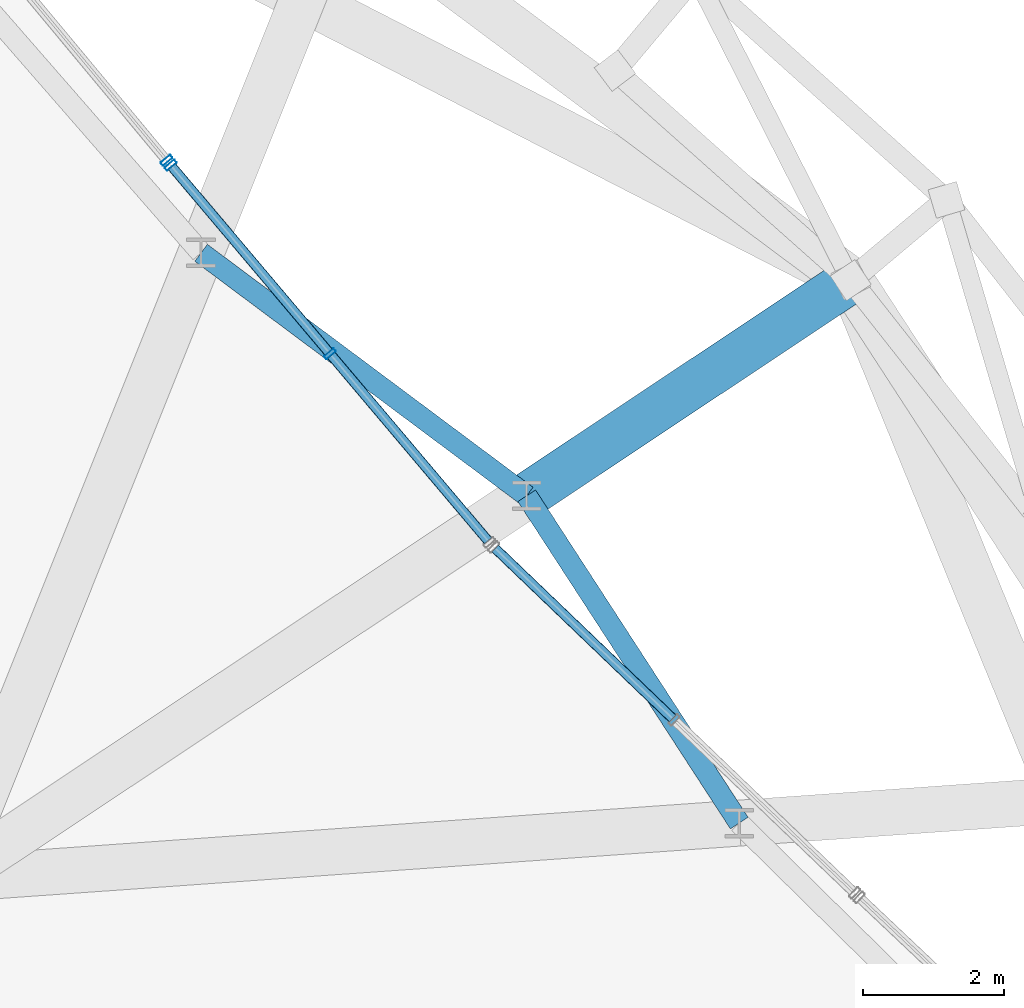
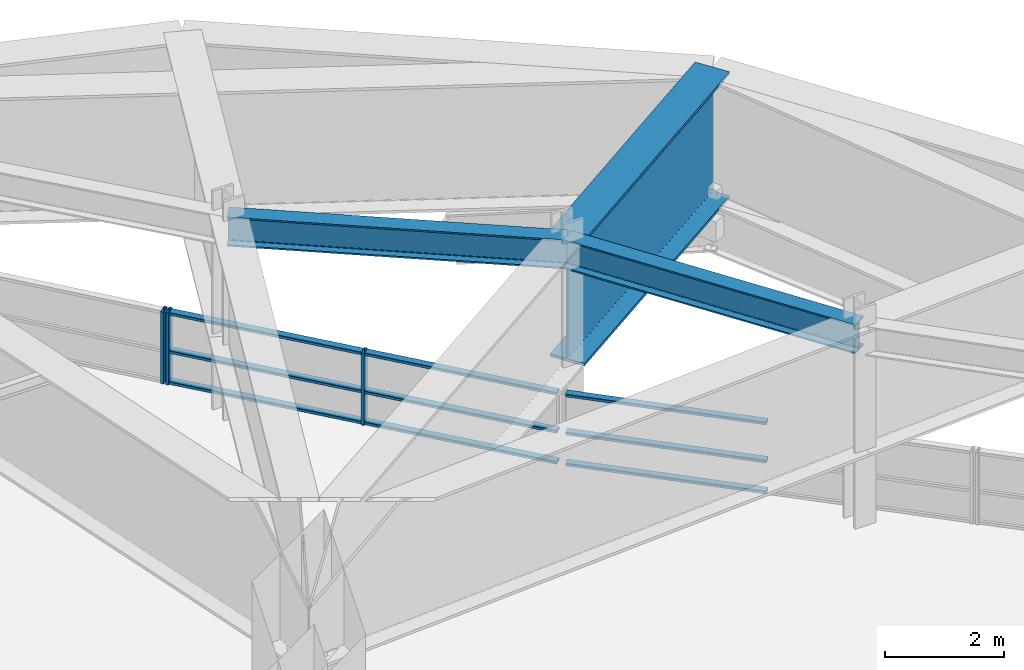
# One storey, part 35 of 52: 12 members, 3 beams, 3 elements without a shape of their own.
"""IFC4 building model written with IfcOpenShell, lengths in metres."""

import ifcopenshell
import ifcopenshell.guid

model = None  # the IFC model being written
_history = None  # IfcOwnerHistory: only IFC2X3 demands one
_inside = {}  # id of a spatial element -> (the spatial element, [elements in it])
_under = {}  # id of a project, library or spatial element -> (it, [spatial elements below it])
_declared = {}  # id of a project -> (the project, [libraries it declares])
_typed = {}  # id of a type object -> (the type object, [elements of that type])
_made_of = {}  # id of a material, layer set ... -> (it, [elements and type objects made of it])


def new_model(schema):
    """Start an empty IFC model of exactly this schema.

    Asked for "IFC4X3", IfcOpenShell would pick the latest addendum, in which some entities
    have other attributes; the version numbers below select the first issue.
    IFC2X3 requires an IfcOwnerHistory on every rooted entity: one is made here for all.
    """
    global model, _history
    if schema == "IFC4X3":
        model = ifcopenshell.file(schema_version=(4, 3, 0, 0))
    else:
        model = ifcopenshell.file(schema=schema)
    _inside.clear()
    _under.clear()
    _declared.clear()
    _typed.clear()
    _made_of.clear()
    _history = None
    if model.schema == "IFC2X3":
        org = make("IfcOrganization", Name="unknown")
        user = make(
            "IfcPersonAndOrganization",
            ThePerson=make("IfcPerson", FamilyName="unknown"),
            TheOrganization=org,
        )
        app = make(
            "IfcApplication",
            ApplicationDeveloper=org,
            Version="unknown",
            ApplicationFullName="unknown",
            ApplicationIdentifier="unknown",
        )
        _history = make(
            "IfcOwnerHistory",
            OwningUser=user,
            OwningApplication=app,
            ChangeAction="ADDED",
            CreationDate=0,
        )
    return model


def make(cls, **values):
    """One entity of the class cls with the attributes given. An attribute that is None is left unset."""
    return model.create_entity(
        cls, **{name: value for name, value in values.items() if value is not None}
    )


def rooted(cls, **values):
    """An entity with a GlobalId (a new one), such as an element, a storey or a relation."""
    return make(cls, GlobalId=ifcopenshell.guid.new(), OwnerHistory=_history, **values)


def si_unit(unit_type, name, prefix=None):
    """IfcSIUnit, for example si_unit("LENGTHUNIT", "METRE", prefix="MILLI")."""
    return make("IfcSIUnit", UnitType=unit_type, Prefix=prefix, Name=name)


def assignment(units):
    """IfcUnitAssignment: the units of a project."""
    return None if units is None else make("IfcUnitAssignment", Units=units)


def point(xyz):
    """IfcCartesianPoint."""
    return None if xyz is None else make("IfcCartesianPoint", Coordinates=xyz)


def direction(xyz):
    """IfcDirection."""
    return None if xyz is None else make("IfcDirection", DirectionRatios=xyz)


def frame(location, z_axis=None, x_axis=None):
    """IfcAxis2Placement3D, a coordinate frame: its origin and axes. An axis left out is left unset."""
    return make(
        "IfcAxis2Placement3D",
        Location=point(location),
        Axis=direction(z_axis),
        RefDirection=direction(x_axis),
    )


def frame_2d(location, x_axis=None):
    """IfcAxis2Placement2D, a coordinate frame in the plane: its origin and x axis."""
    return make(
        "IfcAxis2Placement2D", Location=point(location), RefDirection=direction(x_axis)
    )


def origin():
    """The frame at (0, 0, 0) with its axes left unset."""
    return frame((0.0, 0.0, 0.0))


def origin_2d():
    """The frame at (0, 0) in the plane with its x axis left unset."""
    return frame_2d((0.0, 0.0))


def place(relative_to, where):
    """IfcLocalPlacement: puts the frame where relative to a parent placement (None: the world)."""
    return make(
        "IfcLocalPlacement", PlacementRelTo=relative_to, RelativePlacement=where
    )


def context(
    kind, dimensions, precision=None, world=None, true_north=None, identifier=None
):
    """IfcGeometricRepresentationContext, for example the 3D "Model" context."""
    return make(
        "IfcGeometricRepresentationContext",
        ContextIdentifier=identifier,
        ContextType=kind,
        CoordinateSpaceDimension=dimensions,
        Precision=precision,
        WorldCoordinateSystem=world,
        TrueNorth=true_north,
    )


def subcontext(parent, identifier, kind, view, scale=None):
    """IfcGeometricRepresentationSubContext, for example "Body" below "Model"."""
    return make(
        "IfcGeometricRepresentationSubContext",
        ContextIdentifier=identifier,
        ContextType=kind,
        ParentContext=parent,
        TargetScale=scale,
        TargetView=view,
    )


def project(units=None, contexts=None):
    """IfcProject with its units and contexts."""
    return rooted(
        "IfcProject",
        Name="project",
        RepresentationContexts=contexts,
        UnitsInContext=assignment(units),
    )


def spatial(cls, under=None, at=None, **own):
    """A site, building, storey or space (cls), placed at a placement, below another one or the project."""
    s = rooted(cls, ObjectPlacement=at, **own)
    if under is not None:
        _under.setdefault(under.id(), (under, []))[1].append(s)
    return s


def profile(cls, at=None, kind="AREA", **sizes):
    """A parametric profile (cls). Its sizes go by their IFC names, for example OverallWidth=200.0."""
    return make(cls, ProfileType=kind, Position=at, **sizes)


def hollow_rectangle(**sizes):
    """IfcRectangleHollowProfileDef."""
    return profile("IfcRectangleHollowProfileDef", **sizes)


def i_section(**sizes):
    """IfcIShapeProfileDef."""
    return profile("IfcIShapeProfileDef", **sizes)


def extrude(swept, where, along, depth):
    """IfcExtrudedAreaSolid: the profile swept, set in the frame where, extruded along a direction by depth."""
    return make(
        "IfcExtrudedAreaSolid",
        SweptArea=swept,
        Position=where,
        ExtrudedDirection=direction(along),
        Depth=depth,
    )


def shape(context_of_items, identifier, shape_type, items):
    """IfcShapeRepresentation: the items that make up one representation, for example the "Body"."""
    return make(
        "IfcShapeRepresentation",
        ContextOfItems=context_of_items,
        RepresentationIdentifier=identifier,
        RepresentationType=shape_type,
        Items=items,
    )


def material(Name=None, Category=None):
    """IfcMaterial."""
    return make("IfcMaterial", Name=Name, Category=Category)


def layer(
    of_material, thickness, ventilated=None, Name=None, Category=None, Priority=None
):
    """IfcMaterialLayer: one layer of a wall or slab, of a material (None: an air gap)."""
    return make(
        "IfcMaterialLayer",
        Material=of_material,
        LayerThickness=thickness,
        IsVentilated=ventilated,
        Name=Name,
        Category=Category,
        Priority=Priority,
    )


def layer_set(layers, Name=None):
    """IfcMaterialLayerSet."""
    return make("IfcMaterialLayerSet", MaterialLayers=layers, LayerSetName=Name)


def material_profile(
    of_material, cross_section, Name=None, Category=None, Priority=None
):
    """IfcMaterialProfile: a cross section and its material."""
    return make(
        "IfcMaterialProfile",
        Name=Name,
        Material=of_material,
        Profile=cross_section,
        Priority=Priority,
        Category=Category,
    )


def profile_set(profiles, Name=None, composite=None):
    """IfcMaterialProfileSet."""
    return make(
        "IfcMaterialProfileSet",
        Name=Name,
        MaterialProfiles=profiles,
        CompositeProfile=composite,
    )


def made_of(thing, what):
    """Note that an element or type object is made of a material, layer set ...; save() writes the relation."""
    if what is not None:
        _made_of.setdefault(what.id(), (what, []))[1].append(thing)
    return thing


def type_object(cls, material=None, **own):
    """A type object (cls), such as IfcWallType, which elements share."""
    return made_of(rooted(cls, **own), material)


def element(
    cls,
    number,
    at=None,
    inside=None,
    cuts=None,
    type_object=None,
    material=None,
    context=None,
    identifier="Body",
    shape_type=None,
    held_by="IfcProductDefinitionShape",
    body=None,
    shapes=None,
    **own,
):
    """One element of the class cls, such as IfcWall. Its Tag is "e" and its number.

    at: its placement. inside: the storey or other place that contains it. cuts: it is an
    opening in that element (IfcRelVoidsElement). A single representation is given by context,
    identifier, shape_type and body (its items); several are given by shapes. held_by: the class
    of the entity that holds the representations. save() writes the other relations.
    """
    e = rooted(cls, Tag="e%d" % number, ObjectPlacement=at, **own)
    if body is not None:
        shapes = [shape(context, identifier, shape_type, body)]
    if shapes is not None:
        e.Representation = make(held_by, Representations=shapes)
    if inside is not None:
        _inside.setdefault(inside.id(), (inside, []))[1].append(e)
    if cuts is not None:
        rooted(
            "IfcRelVoidsElement", RelatingBuildingElement=cuts, RelatedOpeningElement=e
        )
    if type_object is not None:
        _typed.setdefault(type_object.id(), (type_object, []))[1].append(e)
    return made_of(e, material)


def aggregate(whole, parts):
    """IfcRelAggregates: a whole, such as a stair, and the parts it consists of."""
    return rooted("IfcRelAggregates", RelatingObject=whole, RelatedObjects=parts)


def save(model, path):
    """Write the relations noted so far, then the file.

    IfcRelAggregates (storeys below a building ...), IfcRelContainedInSpatialStructure (elements
    in a storey), IfcRelDefinesByType, IfcRelAssociatesMaterial and IfcRelDeclares: one each for
    every whole, place, type object, material and project.
    """
    for whole, parts in _under.values():
        aggregate(whole, parts)
    for where, things in _inside.values():
        rooted(
            "IfcRelContainedInSpatialStructure",
            RelatedElements=things,
            RelatingStructure=where,
        )
    for kind, things in _typed.values():
        rooted("IfcRelDefinesByType", RelatedObjects=things, RelatingType=kind)
    for what, things in _made_of.values():
        rooted("IfcRelAssociatesMaterial", RelatedObjects=things, RelatingMaterial=what)
    for by, libraries in _declared.values():
        rooted("IfcRelDeclares", RelatingContext=by, RelatedDefinitions=libraries)
    model.write(path)


model = new_model("IFC4")

# Units and contexts
model_context = context("Model", 3, precision=1e-05, world=origin(), true_north=direction((0.0, 1.0)))
body_context = subcontext(model_context, "Body", "Model", "MODEL_VIEW")
ifc_project = project(units=[si_unit("LENGTHUNIT", "METRE"), si_unit("AREAUNIT", "SQUARE_METRE"), si_unit("VOLUMEUNIT", "CUBIC_METRE"), si_unit("PLANEANGLEUNIT", "RADIAN"), si_unit("MASSUNIT", "GRAM", prefix="KILO")], contexts=[model_context])

# Site, building, storey
site_placement = place(None, origin())
site = spatial("IfcSite", under=ifc_project, at=site_placement, CompositionType="ELEMENT")
building_placement = place(site_placement, origin())
building = spatial("IfcBuilding", under=site, at=building_placement, Name="Kelanora Arch Commons", CompositionType="ELEMENT")
storey_placement = place(building_placement, frame((0.0, 0.0, 13.5)))
storey = spatial("IfcBuildingStorey", under=building, at=storey_placement, Name="L03", CompositionType="ELEMENT", Elevation=13.5)

# Beams
ifc_material_1 = material(Name="Steel S355", Category="steel")
ifc_material_profile_1 = material_profile(ifc_material_1, i_section(OverallWidth=0.300048828125, OverallDepth=0.60009765625, WebThickness=0.015380859375, FlangeThickness=0.030029296875, FilletRadius=0.027099609375, at=origin_2d()), Name="HEB600")
ifc_profile_set_1 = profile_set([ifc_material_profile_1], Name="Steel S355")
beam_type_1 = type_object("IfcBeamType", Name="BM-SPN-Z1", PredefinedType="SPANDREL", material=ifc_profile_set_1)
beam_1_placement = place(storey_placement, frame((93.166015625, 65.791015625, 3.800048828125), z_axis=(-0.544576789228, 0.838710987548, 0.0), x_axis=(-0.838710987548, -0.544576789228, 0.0)))
element("IfcBeam", 1, at=beam_1_placement, inside=storey, type_object=beam_type_1, Name="Arch Concourse Inner Edge Spandrel BSA-02 L03", PredefinedType="SPANDREL", context=body_context, shape_type="SweptSolid", body=[
    extrude(i_section(OverallWidth=0.300048828125, OverallDepth=0.60009765625, WebThickness=0.015380859375, FlangeThickness=0.030029296875, FilletRadius=0.027099609375, at=origin_2d()), origin(), (0.0, 0.0, 1.0), 5.5263671875),
])
beam_2_placement = place(storey_placement, frame((90.156494140625, 70.426025390625, 3.800048828125), z_axis=(-0.801474401239, 0.598029083038, 0.0), x_axis=(-0.598029083038, -0.801474401239, 0.0)))
element("IfcBeam", 2, at=beam_2_placement, inside=storey, type_object=beam_type_1, Name="Arch Concourse Inner Edge Spandrel BSA-04 L03", PredefinedType="SPANDREL", context=body_context, shape_type="SweptSolid", body=[
    extrude(i_section(OverallWidth=0.300048828125, OverallDepth=0.60009765625, WebThickness=0.015380859375, FlangeThickness=0.030029296875, FilletRadius=0.027099609375, at=origin_2d()), origin(), (0.0, 0.0, 1.0), 5.7529296875),
])
ifc_material_profile_2 = material_profile(ifc_material_1, i_section(OverallWidth=0.64990234375, OverallDepth=2.60009765625, WebThickness=0.034912109375, FlangeThickness=0.054931640625, FilletRadius=0.028076171875, at=origin_2d()), Name="PG2600x650")
ifc_profile_set_2 = profile_set([ifc_material_profile_2], Name="Steel S355")
beam_type_2 = type_object("IfcBeamType", Name="BM-XFER-ARCH", PredefinedType="USERDEFINED", material=ifc_profile_set_2)
beam_3_placement = place(storey_placement, frame((90.156494140625, 70.426025390625, 2.800048828125), z_axis=(0.832581573439, 0.553902449507, 0.0), x_axis=(-0.553902449507, 0.832581573439, 0.0)))
element("IfcBeam", 3, at=beam_3_placement, inside=storey, type_object=beam_type_2, Name="Radial Floor Girder BR-04 L03", ObjectType="TRANSFER_GIRDER", PredefinedType="USERDEFINED", context=body_context, shape_type="SweptSolid", body=[
    extrude(i_section(OverallWidth=0.64990234375, OverallDepth=2.60009765625, WebThickness=0.034912109375, FlangeThickness=0.054931640625, FilletRadius=0.028076171875, at=origin_2d()), origin(), (0.0, 0.0, 1.0), 5.510498046875),
])

# Curtain wall, members
ifc_material_2 = material(Name="Terracotta ceramic-fritted low-E glass and aluminium", Category="masonry")
ifc_layer = layer(ifc_material_2, 0.2099609375)
ifc_layer_set = layer_set([ifc_layer], Name="Terracotta ceramic-fritted low-E glass and aluminium")
curtain_wall_type = type_object("IfcCurtainWallType", Name="CW-SYS-04", PredefinedType="NOTDEFINED", material=ifc_layer_set)
curtain_wall_1_placement = place(storey_placement, origin())
curtain_wall_1 = element("IfcCurtainWall", 4, at=curtain_wall_1_placement, inside=storey, type_object=curtain_wall_type, Name="Unitised Curtain Wall L03-B02", PredefinedType="NOTDEFINED")
ifc_material_3 = material(Name="Powder-coated aluminium terracotta", Category="masonry")
ifc_material_profile_3 = material_profile(ifc_material_3, hollow_rectangle(XDim=0.179931640625, YDim=0.06005859375, WallThickness=0.0048828125, InnerFilletRadius=0.0048828125, OuterFilletRadius=0.010009765625, at=origin_2d()), Name="CWM180x60")
ifc_profile_set_3 = profile_set([ifc_material_profile_3], Name="Powder-coated aluminium terracotta")
member_type_1 = type_object("IfcMemberType", Name="CWM-HVY", PredefinedType="MULLION", material=ifc_profile_set_3)
member_1_placement = place(storey_placement, frame((87.37158203125, 72.43701171875, 0.0), z_axis=(0.0, 0.0, 1.0), x_axis=(-0.763854903949, -0.645388011752, 0.0)))
member_1 = element("IfcMember", 5, at=member_1_placement, type_object=member_type_1, Name="CW-04 mullion 2", PredefinedType="MULLION", context=body_context, shape_type="SweptSolid", body=[
    extrude(hollow_rectangle(XDim=0.179931640625, YDim=0.06005859375, WallThickness=0.0048828125, InnerFilletRadius=0.0048828125, OuterFilletRadius=0.010009765625, at=origin_2d()), origin(), (0.0, 0.0, 1.0), 1.47998046875),
])
member_2_placement = place(storey_placement, frame((85.1142578125, 75.108642578125, 0.0), z_axis=(0.0, 0.0, 1.0), x_axis=(-0.763854903949, -0.645388011752, 0.0)))
member_2 = element("IfcMember", 6, at=member_2_placement, type_object=member_type_1, Name="CW-04 mullion 3", PredefinedType="MULLION", context=body_context, shape_type="SweptSolid", body=[
    extrude(hollow_rectangle(XDim=0.179931640625, YDim=0.06005859375, WallThickness=0.0048828125, InnerFilletRadius=0.0048828125, OuterFilletRadius=0.010009765625, at=origin_2d()), origin(), (0.0, 0.0, 1.0), 1.47998046875),
])

# Curtain wall, member
curtain_wall_2_placement = place(storey_placement, origin())
curtain_wall_2 = element("IfcCurtainWall", 7, at=curtain_wall_2_placement, inside=storey, type_object=curtain_wall_type, Name="Unitised Curtain Wall L03-B03", PredefinedType="NOTDEFINED")
member_3_placement = place(storey_placement, frame((85.056396484375, 75.177490234375, 0.0), z_axis=(0.0, 0.0, 1.0), x_axis=(-0.768622918602, -0.639702125211, 0.0)))
member_3 = element("IfcMember", 8, at=member_3_placement, type_object=member_type_1, Name="CW-04 mullion 1", PredefinedType="MULLION", context=body_context, shape_type="SweptSolid", body=[
    extrude(hollow_rectangle(XDim=0.179931640625, YDim=0.06005859375, WallThickness=0.0048828125, InnerFilletRadius=0.0048828125, OuterFilletRadius=0.010009765625, at=origin_2d()), origin(), (0.0, 0.0, 1.0), 1.47998046875),
])
aggregate(curtain_wall_2, [member_3])

# Curtain wall, members
curtain_wall_3_placement = place(storey_placement, origin())
curtain_wall_3 = element("IfcCurtainWall", 9, at=curtain_wall_3_placement, inside=storey, type_object=curtain_wall_type, Name="Unitised Curtain Wall L03-B01", PredefinedType="NOTDEFINED")
ifc_material_profile_4 = material_profile(ifc_material_3, hollow_rectangle(XDim=0.139892578125, YDim=0.06005859375, WallThickness=0.0048828125, InnerFilletRadius=0.0048828125, OuterFilletRadius=0.010009765625, at=origin_2d()), Name="CWT140x60")
ifc_profile_set_4 = profile_set([ifc_material_profile_4], Name="Powder-coated aluminium terracotta")
member_type_2 = type_object("IfcMemberType", Name="CWT-HVY", PredefinedType="USERDEFINED", material=ifc_profile_set_4)
member_4_placement = place(storey_placement, frame((92.223876953125, 67.271240234375, 0.030029296875), z_axis=(-0.721928323992, 0.691967842474, 0.0), x_axis=(-0.691967842474, -0.721928323992, 0.0)))
member_4 = element("IfcMember", 10, at=member_4_placement, type_object=member_type_2, Name="CW-04 transom 2.1", ObjectType="TRANSOM", PredefinedType="USERDEFINED", context=body_context, shape_type="SweptSolid", body=[
    extrude(hollow_rectangle(XDim=0.139892578125, YDim=0.06005859375, WallThickness=0.0048828125, InnerFilletRadius=0.0048828125, OuterFilletRadius=0.010009765625, at=origin_2d()), origin(), (0.0, 0.0, 1.0), 3.4794921875),
])
member_5_placement = place(storey_placement, frame((92.223876953125, 67.271240234375, 0.666015625), z_axis=(-0.721928323992, 0.691967842474, 0.0), x_axis=(-0.691967842474, -0.721928323992, 0.0)))
member_5 = element("IfcMember", 11, at=member_5_placement, type_object=member_type_2, Name="CW-04 transom 2.2", ObjectType="TRANSOM", PredefinedType="USERDEFINED", context=body_context, shape_type="SweptSolid", body=[
    extrude(hollow_rectangle(XDim=0.139892578125, YDim=0.06005859375, WallThickness=0.0048828125, InnerFilletRadius=0.0048828125, OuterFilletRadius=0.010009765625, at=origin_2d()), origin(), (0.0, 0.0, 1.0), 3.4794921875),
])
member_6_placement = place(storey_placement, frame((92.223876953125, 67.271240234375, 1.449951171875), z_axis=(-0.721928323992, 0.691967842474, 0.0), x_axis=(-0.691967842474, -0.721928323992, 0.0)))
member_6 = element("IfcMember", 12, at=member_6_placement, type_object=member_type_2, Name="CW-04 transom 2.3", ObjectType="TRANSOM", PredefinedType="USERDEFINED", context=body_context, shape_type="SweptSolid", body=[
    extrude(hollow_rectangle(XDim=0.139892578125, YDim=0.06005859375, WallThickness=0.0048828125, InnerFilletRadius=0.0048828125, OuterFilletRadius=0.010009765625, at=origin_2d()), origin(), (0.0, 0.0, 1.0), 3.4794921875),
])
aggregate(curtain_wall_3, [member_4, member_5, member_6])

# Member
member_7_placement = place(storey_placement, frame((89.609375, 69.788330078125, 0.030029296875), z_axis=(-0.645388090188, 0.763854837677, 0.0), x_axis=(-0.763854837677, -0.645388090188, 0.0)))
member_7 = element("IfcMember", 13, at=member_7_placement, type_object=member_type_2, Name="CW-04 transom 1.1", ObjectType="TRANSOM", PredefinedType="USERDEFINED", context=body_context, shape_type="SweptSolid", body=[
    extrude(hollow_rectangle(XDim=0.139892578125, YDim=0.06005859375, WallThickness=0.0048828125, InnerFilletRadius=0.0048828125, OuterFilletRadius=0.010009765625, at=origin_2d()), origin(), (0.0, 0.0, 1.0), 3.4375),
])

member_8_placement = place(storey_placement, frame((89.609375, 69.788330078125, 0.666015625), z_axis=(-0.645388090188, 0.763854837677, 0.0), x_axis=(-0.763854837677, -0.645388090188, 0.0)))
member_8 = element("IfcMember", 14, at=member_8_placement, type_object=member_type_2, Name="CW-04 transom 1.2", ObjectType="TRANSOM", PredefinedType="USERDEFINED", context=body_context, shape_type="SweptSolid", body=[
    extrude(hollow_rectangle(XDim=0.139892578125, YDim=0.06005859375, WallThickness=0.0048828125, InnerFilletRadius=0.0048828125, OuterFilletRadius=0.010009765625, at=origin_2d()), origin(), (0.0, 0.0, 1.0), 3.4375),
])

member_9_placement = place(storey_placement, frame((89.609375, 69.788330078125, 1.449951171875), z_axis=(-0.645388090188, 0.763854837677, 0.0), x_axis=(-0.763854837677, -0.645388090188, 0.0)))
member_9 = element("IfcMember", 15, at=member_9_placement, type_object=member_type_2, Name="CW-04 transom 1.3", ObjectType="TRANSOM", PredefinedType="USERDEFINED", context=body_context, shape_type="SweptSolid", body=[
    extrude(hollow_rectangle(XDim=0.139892578125, YDim=0.06005859375, WallThickness=0.0048828125, InnerFilletRadius=0.0048828125, OuterFilletRadius=0.010009765625, at=origin_2d()), origin(), (0.0, 0.0, 1.0), 3.4375),
])

member_10_placement = place(storey_placement, frame((87.352294921875, 72.4599609375, 0.030029296875), z_axis=(-0.645429527562, 0.763819824927, 0.0), x_axis=(-0.763819824927, -0.645429527562, 0.0)))
member_10 = element("IfcMember", 16, at=member_10_placement, type_object=member_type_2, Name="CW-04 transom 2.1", ObjectType="TRANSOM", PredefinedType="USERDEFINED", context=body_context, shape_type="SweptSolid", body=[
    extrude(hollow_rectangle(XDim=0.139892578125, YDim=0.06005859375, WallThickness=0.0048828125, InnerFilletRadius=0.0048828125, OuterFilletRadius=0.010009765625, at=origin_2d()), origin(), (0.0, 0.0, 1.0), 3.437744140625),
])

member_11_placement = place(storey_placement, frame((87.352294921875, 72.4599609375, 0.666015625), z_axis=(-0.645429527562, 0.763819824927, 0.0), x_axis=(-0.763819824927, -0.645429527562, 0.0)))
member_11 = element("IfcMember", 17, at=member_11_placement, type_object=member_type_2, Name="CW-04 transom 2.2", ObjectType="TRANSOM", PredefinedType="USERDEFINED", context=body_context, shape_type="SweptSolid", body=[
    extrude(hollow_rectangle(XDim=0.139892578125, YDim=0.06005859375, WallThickness=0.0048828125, InnerFilletRadius=0.0048828125, OuterFilletRadius=0.010009765625, at=origin_2d()), origin(), (0.0, 0.0, 1.0), 3.437744140625),
])

member_12_placement = place(storey_placement, frame((87.352294921875, 72.4599609375, 1.449951171875), z_axis=(-0.645429527562, 0.763819824927, 0.0), x_axis=(-0.763819824927, -0.645429527562, 0.0)))
member_12 = element("IfcMember", 18, at=member_12_placement, type_object=member_type_2, Name="CW-04 transom 2.3", ObjectType="TRANSOM", PredefinedType="USERDEFINED", context=body_context, shape_type="SweptSolid", body=[
    extrude(hollow_rectangle(XDim=0.139892578125, YDim=0.06005859375, WallThickness=0.0048828125, InnerFilletRadius=0.0048828125, OuterFilletRadius=0.010009765625, at=origin_2d()), origin(), (0.0, 0.0, 1.0), 3.437744140625),
])

aggregate(curtain_wall_1, [member_1, member_2, member_7, member_8, member_9, member_10, member_11, member_12])

save(model, "model.ifc")
